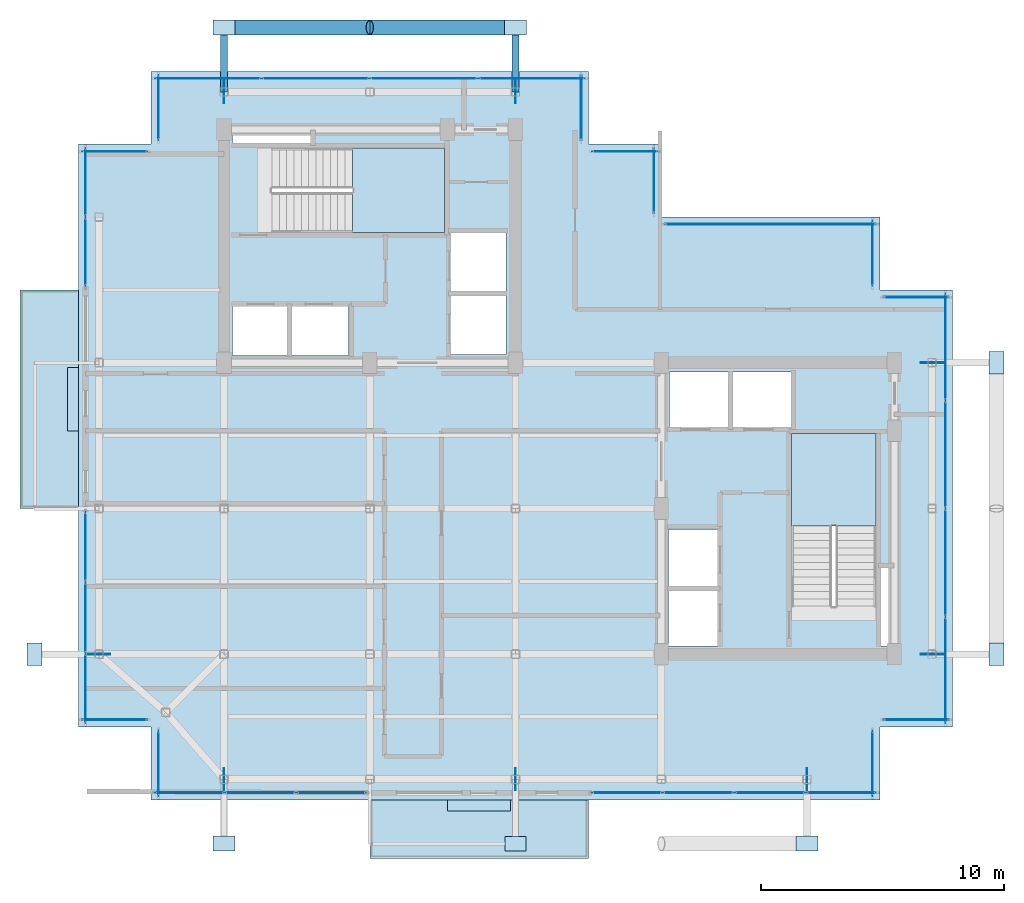
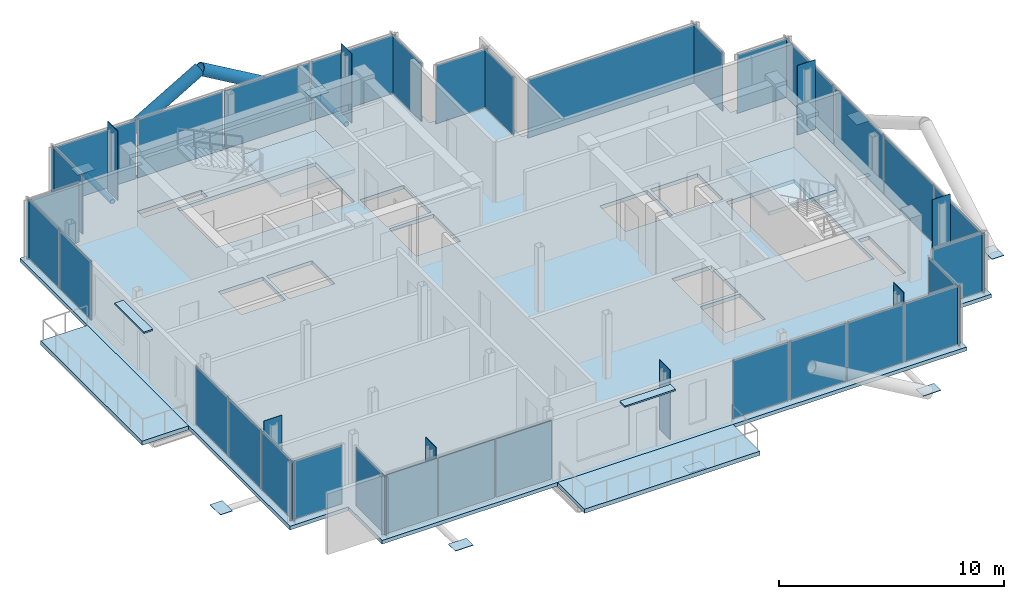
# One storey, part 13 of 18: 50 plates, 5 slabs, 4 members, 20 elements without a shape of their own.
"""IFC4 building model written with IfcOpenShell, lengths in metres."""

from ifc_helpers import new_model, si_unit, direction, frame, origin, origin_2d, place, context, subcontext, project, spatial, polyline, rectangle, hollow_circle, outline, extrude, material, layer, layer_set, material_profile, profile_set, type_object, element, aggregate, save


model = new_model("IFC4")

# Units and contexts
model_context = context("Model", 3, precision=1e-05, world=origin(), true_north=direction((0.0, 1.0)))
body_context = subcontext(model_context, "Body", "Model", "MODEL_VIEW")
ifc_project = project(units=[si_unit("LENGTHUNIT", "METRE"), si_unit("AREAUNIT", "SQUARE_METRE"), si_unit("VOLUMEUNIT", "CUBIC_METRE"), si_unit("PLANEANGLEUNIT", "RADIAN"), si_unit("MASSUNIT", "GRAM", prefix="KILO"), si_unit("THERMODYNAMICTEMPERATUREUNIT", "KELVIN"), si_unit("POWERUNIT", "WATT")], contexts=[model_context])

# Site, building, storey
site_placement = place(None, origin())
site = spatial("IfcSite", under=ifc_project, at=site_placement, CompositionType="ELEMENT")
building_placement = place(site_placement, origin())
building = spatial("IfcBuilding", under=site, at=building_placement, Name="Svarakhadi Broadcast Tower", CompositionType="ELEMENT")
storey_placement = place(building_placement, frame((0.0, 0.0, 278.199951171875)))
storey = spatial("IfcBuildingStorey", under=building, at=storey_placement, Name="L70", CompositionType="ELEMENT", Elevation=278.199951171875)

# Members
ifc_material_1 = material(Name="Steel S460ML (IS 2062 E450BR)", Category="steel")
ifc_material_profile_1 = material_profile(ifc_material_1, hollow_circle(Radius=0.304931640625, WallThickness=0.030029296875, at=origin_2d()), Name="CHS 610x30")
ifc_profile_set_1 = profile_set([ifc_material_profile_1], Name="Steel S460ML (IS 2062 E450BR)")
member_type_1 = type_object("IfcMemberType", Name="Exo_Brace_CHS610", PredefinedType="BRACE", material=ifc_profile_set_1)
for number, where, z_axis, x_axis, name in (
    (1, (6.0, 31.800048828125, -0.33642578125), (0.863778900898, 0.0, 0.503871025524), (0.0, 1.0, 0.0), "L70 Exposed Bronze Exoskeleton Diagonal N04"),
    (2, (18.0, 31.800048828125, -0.33642578125), (-0.863778900898, 0.0, 0.503871025524), (0.0, -1.0, 0.0), "L70 Exposed Bronze Exoskeleton Diagonal N05"),
):
    element("IfcMember", number, at=place(storey_placement, frame(where, z_axis=z_axis, x_axis=x_axis)), inside=storey, type_object=member_type_1, Name=name, PredefinedType="BRACE", context=body_context, shape_type="SweptSolid", body=[
        extrude(hollow_circle(Radius=0.304931640625, WallThickness=0.030029296875, at=origin_2d()), origin(), (0.0, 0.0, 1.0), 6.9462890625),
    ])
ifc_material_profile_2 = material_profile(ifc_material_1, hollow_circle(Radius=0.136474609375, WallThickness=0.012451171875, at=origin_2d()), Name="CHS 273x12.5")
ifc_profile_set_2 = profile_set([ifc_material_profile_2], Name="Steel S460ML (IS 2062 E450BR)")
member_type_2 = type_object("IfcMemberType", Name="Exo_Radial_Strut_Z3", PredefinedType="STRUT", material=ifc_profile_set_2)
for number, where, z_axis, x_axis, name in (
    (3, (6.0, 31.800048828125, -0.33642578125), (0.0, -1.0, 0.0), (1.0, 0.0, 0.0), "L70 Exoskeleton Radial Tie Strut N07"),
    (4, (18.0, 31.800048828125, -0.33642578125), (0.0, -1.0, 0.0), (1.0, 0.0, 0.0), "L70 Exoskeleton Radial Tie Strut N08"),
):
    element("IfcMember", number, at=place(storey_placement, frame(where, z_axis=z_axis, x_axis=x_axis)), inside=storey, type_object=member_type_2, Name=name, PredefinedType="STRUT", context=body_context, shape_type="SweptSolid", body=[
        extrude(hollow_circle(Radius=0.136474609375, WallThickness=0.012451171875, at=origin_2d()), origin(), (0.0, 0.0, 1.0), 2.650146484375),
    ])

# Curtain wall, plate
ifc_material_2 = material(Name="Anodised Bronze Aluminium AA 6063-T6", Category="aluminium")
ifc_layer_1 = layer(ifc_material_2, 0.179931640625)
ifc_layer_set_1 = layer_set([ifc_layer_1], Name="Anodised Bronze Aluminium AA 6063-T6")
curtain_wall_type = type_object("IfcCurtainWallType", Name="CW_Sys_05", PredefinedType="NOTDEFINED", material=ifc_layer_set_1)
curtain_wall_1_placement = place(storey_placement, origin())
curtain_wall_1 = element("IfcCurtainWall", 5, at=curtain_wall_1_placement, inside=storey, type_object=curtain_wall_type, Name="L70 Unitised Facade Curtain Wall 01", PredefinedType="NOTDEFINED")
ifc_material_3 = material(Name="Double Low-E Laminated Acoustic Glass IGU 36 mm", Category="glass")
ifc_layer_2 = layer(ifc_material_3, 0.033935546875)
ifc_layer_set_2 = layer_set([ifc_layer_2], Name="Double Low-E Laminated Acoustic Glass IGU 36 mm")
plate_type_1 = type_object("IfcPlateType", Name="CW_Sys_05_Pnl", PredefinedType="CURTAIN_PANEL", material=ifc_layer_set_2)
plate_1_placement = place(storey_placement, frame((1.5, 3.300048828125, 0.065185546875), z_axis=(0.0, 0.0, 1.0), x_axis=(-1.0, 0.0, 0.0)))
plate_1 = element("IfcPlate", 6, at=plate_1_placement, type_object=plate_type_1, Name="CW-05 panel 1.1", PredefinedType="CURTAIN_PANEL", context=body_context, shape_type="SweptSolid", body=[
    extrude(rectangle(XDim=2.679931640625, YDim=0.033935546875, at=origin_2d()), origin(), (0.0, 0.0, 1.0), 3.169921875),
])
aggregate(curtain_wall_1, [plate_1])

# Curtain wall, plates
curtain_wall_2_placement = place(storey_placement, origin())
curtain_wall_2 = element("IfcCurtainWall", 7, at=curtain_wall_2_placement, inside=storey, type_object=curtain_wall_type, Name="L70 West Curtain Wall 02", PredefinedType="NOTDEFINED")
plate_2_placement = place(storey_placement, frame((0.300048828125, 4.577392578125, 0.065185546875), z_axis=(0.0, 0.0, 1.0), x_axis=(0.0, 1.0, 0.0)))
plate_2 = element("IfcPlate", 8, at=plate_2_placement, type_object=plate_type_1, Name="CW-05 panel 1.1", PredefinedType="CURTAIN_PANEL", context=body_context, shape_type="SweptSolid", body=[
    extrude(rectangle(XDim=2.8349609375, YDim=0.033935546875, at=origin_2d()), origin(), (0.0, 0.0, 1.0), 3.169921875),
])
plate_3_placement = place(storey_placement, frame((0.300048828125, 7.5, 0.065185546875), z_axis=(0.0, 0.0, 1.0), x_axis=(0.0, 1.0, 0.0)))
plate_3 = element("IfcPlate", 9, at=plate_3_placement, type_object=plate_type_1, Name="CW-05 panel 2.1", PredefinedType="CURTAIN_PANEL", context=body_context, shape_type="SweptSolid", body=[
    extrude(rectangle(XDim=2.8701171875, YDim=0.033935546875, at=origin_2d()), origin(), (0.0, 0.0, 1.0), 3.169921875),
])
plate_4_placement = place(storey_placement, frame((0.300048828125, 10.422607421875, 0.065185546875), z_axis=(0.0, 0.0, 1.0), x_axis=(0.0, 1.0, 0.0)))
plate_4 = element("IfcPlate", 10, at=plate_4_placement, type_object=plate_type_1, Name="CW-05 panel 3.1", PredefinedType="CURTAIN_PANEL", context=body_context, shape_type="SweptSolid", body=[
    extrude(rectangle(XDim=2.8349609375, YDim=0.033935546875, at=origin_2d()), origin(), (0.0, 0.0, 1.0), 3.169921875),
])
aggregate(curtain_wall_2, [plate_2, plate_3, plate_4])

curtain_wall_3_placement = place(storey_placement, origin())
curtain_wall_3 = element("IfcCurtainWall", 11, at=curtain_wall_3_placement, inside=storey, type_object=curtain_wall_type, Name="L70 West Curtain Wall 03", PredefinedType="NOTDEFINED")
plate_5_placement = place(storey_placement, frame((0.300048828125, 22.5625, 0.065185546875), z_axis=(0.0, 0.0, 1.0), x_axis=(0.0, 1.0, 0.0)))
plate_5 = element("IfcPlate", 12, at=plate_5_placement, type_object=plate_type_1, Name="CW-05 panel 1.1", PredefinedType="CURTAIN_PANEL", context=body_context, shape_type="SweptSolid", body=[
    extrude(rectangle(XDim=2.804931640625, YDim=0.033935546875, at=origin_2d()), origin(), (0.0, 0.0, 1.0), 3.169921875),
])
plate_6_placement = place(storey_placement, frame((0.300048828125, 25.4375, 0.065185546875), z_axis=(0.0, 0.0, 1.0), x_axis=(0.0, 1.0, 0.0)))
plate_6 = element("IfcPlate", 13, at=plate_6_placement, type_object=plate_type_1, Name="CW-05 panel 2.1", PredefinedType="CURTAIN_PANEL", context=body_context, shape_type="SweptSolid", body=[
    extrude(rectangle(XDim=2.804931640625, YDim=0.033935546875, at=origin_2d()), origin(), (0.0, 0.0, 1.0), 3.169921875),
])
aggregate(curtain_wall_3, [plate_5, plate_6])

# Curtain wall, plate
curtain_wall_4_placement = place(storey_placement, origin())
curtain_wall_4 = element("IfcCurtainWall", 14, at=curtain_wall_4_placement, inside=storey, type_object=curtain_wall_type, Name="L70 Unitised Facade Curtain Wall 04", PredefinedType="NOTDEFINED")
plate_7_placement = place(storey_placement, frame((1.5, 26.699951171875, 0.065185546875), z_axis=(0.0, 0.0, 1.0), x_axis=(1.0, 0.0, 0.0)))
plate_7 = element("IfcPlate", 15, at=plate_7_placement, type_object=plate_type_1, Name="CW-05 panel 1.1", PredefinedType="CURTAIN_PANEL", context=body_context, shape_type="SweptSolid", body=[
    extrude(rectangle(XDim=2.679931640625, YDim=0.033935546875, at=origin_2d()), origin(), (0.0, 0.0, 1.0), 3.169921875),
])
aggregate(curtain_wall_4, [plate_7])

curtain_wall_5_placement = place(storey_placement, origin())
curtain_wall_5 = element("IfcCurtainWall", 16, at=curtain_wall_5_placement, inside=storey, type_object=curtain_wall_type, Name="L70 Unitised Facade Curtain Wall 05", PredefinedType="NOTDEFINED")
plate_8_placement = place(storey_placement, frame((3.300048828125, 28.5, 0.065185546875), z_axis=(0.0, 0.0, 1.0), x_axis=(0.0, 1.0, 0.0)))
plate_8 = element("IfcPlate", 17, at=plate_8_placement, type_object=plate_type_1, Name="CW-05 panel 1.1", PredefinedType="CURTAIN_PANEL", context=body_context, shape_type="SweptSolid", body=[
    extrude(rectangle(XDim=2.679931640625, YDim=0.033935546875, at=origin_2d()), origin(), (0.0, 0.0, 1.0), 3.169921875),
])
aggregate(curtain_wall_5, [plate_8])

# Curtain wall, plates
curtain_wall_6_placement = place(storey_placement, origin())
curtain_wall_6 = element("IfcCurtainWall", 18, at=curtain_wall_6_placement, inside=storey, type_object=curtain_wall_type, Name="L70 Unitised Facade Curtain Wall 06", PredefinedType="NOTDEFINED")
plate_9_placement = place(storey_placement, frame((5.3349609375, 29.699951171875, 0.065185546875), z_axis=(0.0, 0.0, 1.0), x_axis=(1.0, 0.0, 0.0)))
plate_9 = element("IfcPlate", 19, at=plate_9_placement, type_object=plate_type_1, Name="CW-05 panel 1.1", PredefinedType="CURTAIN_PANEL", context=body_context, shape_type="SweptSolid", body=[
    extrude(rectangle(XDim=4.35009765625, YDim=0.033935546875, at=origin_2d()), origin(), (0.0, 0.0, 1.0), 3.169921875),
])
plate_10_placement = place(storey_placement, frame((9.7724609375, 29.699951171875, 0.065185546875), z_axis=(0.0, 0.0, 1.0), x_axis=(1.0, 0.0, 0.0)))
plate_10 = element("IfcPlate", 20, at=plate_10_placement, type_object=plate_type_1, Name="CW-05 panel 2.1", PredefinedType="CURTAIN_PANEL", context=body_context, shape_type="SweptSolid", body=[
    extrude(rectangle(XDim=4.385009765625, YDim=0.033935546875, at=origin_2d()), origin(), (0.0, 0.0, 1.0), 3.169921875),
])
plate_11_placement = place(storey_placement, frame((14.2275390625, 29.699951171875, 0.065185546875), z_axis=(0.0, 0.0, 1.0), x_axis=(1.0, 0.0, 0.0)))
plate_11 = element("IfcPlate", 21, at=plate_11_placement, type_object=plate_type_1, Name="CW-05 panel 3.1", PredefinedType="CURTAIN_PANEL", context=body_context, shape_type="SweptSolid", body=[
    extrude(rectangle(XDim=4.385009765625, YDim=0.033935546875, at=origin_2d()), origin(), (0.0, 0.0, 1.0), 3.169921875),
])
plate_12_placement = place(storey_placement, frame((18.6650390625, 29.699951171875, 0.065185546875), z_axis=(0.0, 0.0, 1.0), x_axis=(1.0, 0.0, 0.0)))
plate_12 = element("IfcPlate", 22, at=plate_12_placement, type_object=plate_type_1, Name="CW-05 panel 4.1", PredefinedType="CURTAIN_PANEL", context=body_context, shape_type="SweptSolid", body=[
    extrude(rectangle(XDim=4.35009765625, YDim=0.033935546875, at=origin_2d()), origin(), (0.0, 0.0, 1.0), 3.169921875),
])
aggregate(curtain_wall_6, [plate_9, plate_10, plate_11, plate_12])

# Curtain wall, plate
curtain_wall_7_placement = place(storey_placement, origin())
curtain_wall_7 = element("IfcCurtainWall", 23, at=curtain_wall_7_placement, inside=storey, type_object=curtain_wall_type, Name="L70 Unitised Facade Curtain Wall 07", PredefinedType="NOTDEFINED")
plate_13_placement = place(storey_placement, frame((20.699951171875, 28.5, 0.065185546875), z_axis=(0.0, 0.0, 1.0), x_axis=(0.0, -1.0, 0.0)))
plate_13 = element("IfcPlate", 24, at=plate_13_placement, type_object=plate_type_1, Name="CW-05 panel 1.1", PredefinedType="CURTAIN_PANEL", context=body_context, shape_type="SweptSolid", body=[
    extrude(rectangle(XDim=2.679931640625, YDim=0.033935546875, at=origin_2d()), origin(), (0.0, 0.0, 1.0), 3.169921875),
])
aggregate(curtain_wall_7, [plate_13])

curtain_wall_8_placement = place(storey_placement, origin())
curtain_wall_8 = element("IfcCurtainWall", 25, at=curtain_wall_8_placement, inside=storey, type_object=curtain_wall_type, Name="L70 Unitised Facade Curtain Wall 08", PredefinedType="NOTDEFINED")
plate_14_placement = place(storey_placement, frame((22.5, 26.699951171875, 0.065185546875), z_axis=(0.0, 0.0, 1.0), x_axis=(1.0, 0.0, 0.0)))
plate_14 = element("IfcPlate", 26, at=plate_14_placement, type_object=plate_type_1, Name="CW-05 panel 1.1", PredefinedType="CURTAIN_PANEL", context=body_context, shape_type="SweptSolid", body=[
    extrude(rectangle(XDim=2.679931640625, YDim=0.033935546875, at=origin_2d()), origin(), (0.0, 0.0, 1.0), 3.169921875),
])
aggregate(curtain_wall_8, [plate_14])

curtain_wall_9_placement = place(storey_placement, origin())
curtain_wall_9 = element("IfcCurtainWall", 27, at=curtain_wall_9_placement, inside=storey, type_object=curtain_wall_type, Name="L70 Unitised Facade Curtain Wall 09", PredefinedType="NOTDEFINED")
plate_15_placement = place(storey_placement, frame((23.699951171875, 25.5, 0.065185546875), z_axis=(0.0, 0.0, 1.0), x_axis=(0.0, -1.0, 0.0)))
plate_15 = element("IfcPlate", 28, at=plate_15_placement, type_object=plate_type_1, Name="CW-05 panel 1.1", PredefinedType="CURTAIN_PANEL", context=body_context, shape_type="SweptSolid", body=[
    extrude(rectangle(XDim=2.679931640625, YDim=0.033935546875, at=origin_2d()), origin(), (0.0, 0.0, 1.0), 3.169921875),
])
aggregate(curtain_wall_9, [plate_15])

curtain_wall_10_placement = place(storey_placement, origin())
curtain_wall_10 = element("IfcCurtainWall", 29, at=curtain_wall_10_placement, inside=storey, type_object=curtain_wall_type, Name="L70 Unitised Facade Curtain Wall 10", PredefinedType="NOTDEFINED")
plate_16_placement = place(storey_placement, frame((28.5, 23.699951171875, 0.065185546875), z_axis=(0.0, 0.0, 1.0), x_axis=(1.0, 0.0, 0.0)))
plate_16 = element("IfcPlate", 30, at=plate_16_placement, type_object=plate_type_1, Name="CW-05 panel 1.1", PredefinedType="CURTAIN_PANEL", context=body_context, shape_type="SweptSolid", body=[
    extrude(rectangle(XDim=8.679931640625, YDim=0.033935546875, at=origin_2d()), origin(), (0.0, 0.0, 1.0), 3.169921875),
])
aggregate(curtain_wall_10, [plate_16])

curtain_wall_11_placement = place(storey_placement, origin())
curtain_wall_11 = element("IfcCurtainWall", 31, at=curtain_wall_11_placement, inside=storey, type_object=curtain_wall_type, Name="L70 Unitised Facade Curtain Wall 11", PredefinedType="NOTDEFINED")
plate_17_placement = place(storey_placement, frame((32.699951171875, 22.5, 0.065185546875), z_axis=(0.0, 0.0, 1.0), x_axis=(0.0, -1.0, 0.0)))
plate_17 = element("IfcPlate", 32, at=plate_17_placement, type_object=plate_type_1, Name="CW-05 panel 1.1", PredefinedType="CURTAIN_PANEL", context=body_context, shape_type="SweptSolid", body=[
    extrude(rectangle(XDim=2.679931640625, YDim=0.033935546875, at=origin_2d()), origin(), (0.0, 0.0, 1.0), 3.169921875),
])
aggregate(curtain_wall_11, [plate_17])

curtain_wall_12_placement = place(storey_placement, origin())
curtain_wall_12 = element("IfcCurtainWall", 33, at=curtain_wall_12_placement, inside=storey, type_object=curtain_wall_type, Name="L70 Unitised Facade Curtain Wall 12", PredefinedType="NOTDEFINED")
plate_18_placement = place(storey_placement, frame((34.5, 20.699951171875, 0.065185546875), z_axis=(0.0, 0.0, 1.0), x_axis=(1.0, 0.0, 0.0)))
plate_18 = element("IfcPlate", 34, at=plate_18_placement, type_object=plate_type_1, Name="CW-05 panel 1.1", PredefinedType="CURTAIN_PANEL", context=body_context, shape_type="SweptSolid", body=[
    extrude(rectangle(XDim=2.679931640625, YDim=0.033935546875, at=origin_2d()), origin(), (0.0, 0.0, 1.0), 3.169921875),
])
aggregate(curtain_wall_12, [plate_18])

# Curtain wall, plates
curtain_wall_13_placement = place(storey_placement, origin())
curtain_wall_13 = element("IfcCurtainWall", 35, at=curtain_wall_13_placement, inside=storey, type_object=curtain_wall_type, Name="L70 Unitised Facade Curtain Wall 13", PredefinedType="NOTDEFINED")
plate_19_placement = place(storey_placement, frame((35.699951171875, 18.6650390625, 0.065185546875), z_axis=(0.0, 0.0, 1.0), x_axis=(0.0, -1.0, 0.0)))
plate_19 = element("IfcPlate", 36, at=plate_19_placement, type_object=plate_type_1, Name="CW-05 panel 1.1", PredefinedType="CURTAIN_PANEL", context=body_context, shape_type="SweptSolid", body=[
    extrude(rectangle(XDim=4.35009765625, YDim=0.033935546875, at=origin_2d()), origin(), (0.0, 0.0, 1.0), 3.169921875),
])
plate_20_placement = place(storey_placement, frame((35.699951171875, 14.2275390625, 0.065185546875), z_axis=(0.0, 0.0, 1.0), x_axis=(0.0, -1.0, 0.0)))
plate_20 = element("IfcPlate", 37, at=plate_20_placement, type_object=plate_type_1, Name="CW-05 panel 2.1", PredefinedType="CURTAIN_PANEL", context=body_context, shape_type="SweptSolid", body=[
    extrude(rectangle(XDim=4.385009765625, YDim=0.033935546875, at=origin_2d()), origin(), (0.0, 0.0, 1.0), 3.169921875),
])
plate_21_placement = place(storey_placement, frame((35.699951171875, 9.7724609375, 0.065185546875), z_axis=(0.0, 0.0, 1.0), x_axis=(0.0, -1.0, 0.0)))
plate_21 = element("IfcPlate", 38, at=plate_21_placement, type_object=plate_type_1, Name="CW-05 panel 3.1", PredefinedType="CURTAIN_PANEL", context=body_context, shape_type="SweptSolid", body=[
    extrude(rectangle(XDim=4.385009765625, YDim=0.033935546875, at=origin_2d()), origin(), (0.0, 0.0, 1.0), 3.169921875),
])
plate_22_placement = place(storey_placement, frame((35.699951171875, 5.3349609375, 0.065185546875), z_axis=(0.0, 0.0, 1.0), x_axis=(0.0, -1.0, 0.0)))
plate_22 = element("IfcPlate", 39, at=plate_22_placement, type_object=plate_type_1, Name="CW-05 panel 4.1", PredefinedType="CURTAIN_PANEL", context=body_context, shape_type="SweptSolid", body=[
    extrude(rectangle(XDim=4.35009765625, YDim=0.033935546875, at=origin_2d()), origin(), (0.0, 0.0, 1.0), 3.169921875),
])
aggregate(curtain_wall_13, [plate_19, plate_20, plate_21, plate_22])

# Curtain wall, plate
curtain_wall_14_placement = place(storey_placement, origin())
curtain_wall_14 = element("IfcCurtainWall", 40, at=curtain_wall_14_placement, inside=storey, type_object=curtain_wall_type, Name="L70 Unitised Facade Curtain Wall 14", PredefinedType="NOTDEFINED")
plate_23_placement = place(storey_placement, frame((34.5, 3.300048828125, 0.065185546875), z_axis=(0.0, 0.0, 1.0), x_axis=(-1.0, 0.0, 0.0)))
plate_23 = element("IfcPlate", 41, at=plate_23_placement, type_object=plate_type_1, Name="CW-05 panel 1.1", PredefinedType="CURTAIN_PANEL", context=body_context, shape_type="SweptSolid", body=[
    extrude(rectangle(XDim=2.679931640625, YDim=0.033935546875, at=origin_2d()), origin(), (0.0, 0.0, 1.0), 3.169921875),
])
aggregate(curtain_wall_14, [plate_23])

curtain_wall_15_placement = place(storey_placement, origin())
curtain_wall_15 = element("IfcCurtainWall", 42, at=curtain_wall_15_placement, inside=storey, type_object=curtain_wall_type, Name="L70 Unitised Facade Curtain Wall 15", PredefinedType="NOTDEFINED")
plate_24_placement = place(storey_placement, frame((32.699951171875, 1.5, 0.065185546875), z_axis=(0.0, 0.0, 1.0), x_axis=(0.0, -1.0, 0.0)))
plate_24 = element("IfcPlate", 43, at=plate_24_placement, type_object=plate_type_1, Name="CW-05 panel 1.1", PredefinedType="CURTAIN_PANEL", context=body_context, shape_type="SweptSolid", body=[
    extrude(rectangle(XDim=2.679931640625, YDim=0.033935546875, at=origin_2d()), origin(), (0.0, 0.0, 1.0), 3.169921875),
])
aggregate(curtain_wall_15, [plate_24])

# Curtain wall, plates
curtain_wall_16_placement = place(storey_placement, origin())
curtain_wall_16 = element("IfcCurtainWall", 44, at=curtain_wall_16_placement, inside=storey, type_object=curtain_wall_type, Name="L70 South Curtain Wall 16", PredefinedType="NOTDEFINED")
plate_25_placement = place(storey_placement, frame((31.4150390625, 0.300048828125, 0.065185546875), z_axis=(0.0, 0.0, 1.0), x_axis=(-1.0, 0.0, 0.0)))
plate_25 = element("IfcPlate", 45, at=plate_25_placement, type_object=plate_type_1, Name="CW-05 panel 1.1", PredefinedType="CURTAIN_PANEL", context=body_context, shape_type="SweptSolid", body=[
    extrude(rectangle(XDim=2.85009765625, YDim=0.033935546875, at=origin_2d()), origin(), (0.0, 0.0, 1.0), 3.169921875),
])
plate_26_placement = place(storey_placement, frame((28.4775390625, 0.300048828125, 0.065185546875), z_axis=(0.0, 0.0, 1.0), x_axis=(-1.0, 0.0, 0.0)))
plate_26 = element("IfcPlate", 46, at=plate_26_placement, type_object=plate_type_1, Name="CW-05 panel 2.1", PredefinedType="CURTAIN_PANEL", context=body_context, shape_type="SweptSolid", body=[
    extrude(rectangle(XDim=2.885009765625, YDim=0.033935546875, at=origin_2d()), origin(), (0.0, 0.0, 1.0), 3.169921875),
])
plate_27_placement = place(storey_placement, frame((25.5224609375, 0.300048828125, 0.065185546875), z_axis=(0.0, 0.0, 1.0), x_axis=(-1.0, 0.0, 0.0)))
plate_27 = element("IfcPlate", 47, at=plate_27_placement, type_object=plate_type_1, Name="CW-05 panel 3.1", PredefinedType="CURTAIN_PANEL", context=body_context, shape_type="SweptSolid", body=[
    extrude(rectangle(XDim=2.885009765625, YDim=0.033935546875, at=origin_2d()), origin(), (0.0, 0.0, 1.0), 3.169921875),
])
plate_28_placement = place(storey_placement, frame((22.5849609375, 0.300048828125, 0.065185546875), z_axis=(0.0, 0.0, 1.0), x_axis=(-1.0, 0.0, 0.0)))
plate_28 = element("IfcPlate", 48, at=plate_28_placement, type_object=plate_type_1, Name="CW-05 panel 4.1", PredefinedType="CURTAIN_PANEL", context=body_context, shape_type="SweptSolid", body=[
    extrude(rectangle(XDim=2.85009765625, YDim=0.033935546875, at=origin_2d()), origin(), (0.0, 0.0, 1.0), 3.169921875),
])
aggregate(curtain_wall_16, [plate_25, plate_26, plate_27, plate_28])

curtain_wall_17_placement = place(storey_placement, origin())
curtain_wall_17 = element("IfcCurtainWall", 49, at=curtain_wall_17_placement, inside=storey, type_object=curtain_wall_type, Name="L70 South Curtain Wall 17", PredefinedType="NOTDEFINED")
plate_29_placement = place(storey_placement, frame((10.422607421875, 0.300048828125, 0.065185546875), z_axis=(0.0, 0.0, 1.0), x_axis=(-1.0, 0.0, 0.0)))
plate_29 = element("IfcPlate", 50, at=plate_29_placement, type_object=plate_type_1, Name="CW-05 panel 1.1", PredefinedType="CURTAIN_PANEL", context=body_context, shape_type="SweptSolid", body=[
    extrude(rectangle(XDim=2.8349609375, YDim=0.033935546875, at=origin_2d()), origin(), (0.0, 0.0, 1.0), 3.169921875),
])
plate_30_placement = place(storey_placement, frame((7.5, 0.300048828125, 0.065185546875), z_axis=(0.0, 0.0, 1.0), x_axis=(-1.0, 0.0, 0.0)))
plate_30 = element("IfcPlate", 51, at=plate_30_placement, type_object=plate_type_1, Name="CW-05 panel 2.1", PredefinedType="CURTAIN_PANEL", context=body_context, shape_type="SweptSolid", body=[
    extrude(rectangle(XDim=2.8701171875, YDim=0.033935546875, at=origin_2d()), origin(), (0.0, 0.0, 1.0), 3.169921875),
])
plate_31_placement = place(storey_placement, frame((4.577392578125, 0.300048828125, 0.065185546875), z_axis=(0.0, 0.0, 1.0), x_axis=(-1.0, 0.0, 0.0)))
plate_31 = element("IfcPlate", 52, at=plate_31_placement, type_object=plate_type_1, Name="CW-05 panel 3.1", PredefinedType="CURTAIN_PANEL", context=body_context, shape_type="SweptSolid", body=[
    extrude(rectangle(XDim=2.8349609375, YDim=0.033935546875, at=origin_2d()), origin(), (0.0, 0.0, 1.0), 3.169921875),
])
aggregate(curtain_wall_17, [plate_29, plate_30, plate_31])

# Curtain wall, plate
curtain_wall_18_placement = place(storey_placement, origin())
curtain_wall_18 = element("IfcCurtainWall", 53, at=curtain_wall_18_placement, inside=storey, type_object=curtain_wall_type, Name="L70 Unitised Facade Curtain Wall 18", PredefinedType="NOTDEFINED")
plate_32_placement = place(storey_placement, frame((3.300048828125, 1.5, 0.065185546875), z_axis=(0.0, 0.0, 1.0), x_axis=(0.0, 1.0, 0.0)))
plate_32 = element("IfcPlate", 54, at=plate_32_placement, type_object=plate_type_1, Name="CW-05 panel 1.1", PredefinedType="CURTAIN_PANEL", context=body_context, shape_type="SweptSolid", body=[
    extrude(rectangle(XDim=2.679931640625, YDim=0.033935546875, at=origin_2d()), origin(), (0.0, 0.0, 1.0), 3.169921875),
])
aggregate(curtain_wall_18, [plate_32])

# Plates
ifc_layer_3 = layer(ifc_material_1, 0.02490234375)
ifc_layer_set_3 = layer_set([ifc_layer_3], Name="Steel S460ML (IS 2062 E450BR)")
plate_type_2 = type_object("IfcPlateType", Name="Node_Gusset_N05", PredefinedType="SHEET", material=ifc_layer_set_3)
plate_33_placement = place(storey_placement, frame((18.0, -1.800048828125, -0.199951171875), z_axis=(0.0, 0.0, 1.0), x_axis=(1.0, 0.0, 0.0)))
element("IfcPlate", 55, at=plate_33_placement, inside=storey, type_object=plate_type_2, Name="L70 Exoskeleton Gusset Node Plate S02", PredefinedType="SHEET", context=body_context, shape_type="SweptSolid", body=[
    extrude(rectangle(XDim=0.8798828125, YDim=0.60009765625, at=origin_2d()), origin(), (0.0, 0.0, 1.0), 0.02490234375),
])
ifc_layer_4 = layer(ifc_material_1, 0.02587890625)
ifc_layer_set_4 = layer_set([ifc_layer_4], Name="Steel S460ML (IS 2062 E450BR)")
plate_type_3 = type_object("IfcPlateType", Name="Node_Gusset_N07", PredefinedType="SHEET", material=ifc_layer_set_4)
for number, where, z_axis, x_axis, name in (
    (56, (6.0, -1.800048828125, -0.199951171875), (0.0, 0.0, 1.0), (1.0, 0.0, 0.0), "L70 Exoskeleton Gusset Node Plate S01"),
    (57, (30.0, -1.800048828125, -0.199951171875), (0.0, 0.0, 1.0), (1.0, 0.0, 0.0), "L70 Exoskeleton Gusset Node Plate S03"),
    (58, (-1.800048828125, 6.0, -0.199951171875), (0.0, 0.0, 1.0), (0.0, 1.0, 0.0), "L70 Exoskeleton Gusset Node Plate W04"),
    (59, (37.800048828125, 6.0, -0.199951171875), (0.0, 0.0, 1.0), (0.0, 1.0, 0.0), "L70 Exoskeleton Gusset Node Plate E05"),
    (60, (37.800048828125, 18.0, -0.199951171875), (0.0, 0.0, 1.0), (0.0, 1.0, 0.0), "L70 Exoskeleton Gusset Node Plate E06"),
    (61, (6.0, 31.800048828125, -0.199951171875), (0.0, 0.0, 1.0), (1.0, 0.0, 0.0), "L70 Exoskeleton Gusset Node Plate N07"),
    (62, (18.0, 31.800048828125, -0.199951171875), (0.0, 0.0, 1.0), (1.0, 0.0, 0.0), "L70 Exoskeleton Gusset Node Plate N08"),
):
    element("IfcPlate", number, at=place(storey_placement, frame(where, z_axis=z_axis, x_axis=x_axis)), inside=storey, type_object=plate_type_3, Name=name, PredefinedType="SHEET", context=body_context, shape_type="SweptSolid", body=[
        extrude(rectangle(XDim=0.919921875, YDim=0.6201171875, at=origin_2d()), origin(), (0.0, 0.0, 1.0), 0.02587890625),
    ])
for number, where, z_axis, x_axis, name in (
    (63, (6.0, 0.85009765625, -0.53662109375), (0.0, 0.0, 1.0), (0.0, 1.0, 0.0), "L70 Brace End Connection Gusset Plate N-07-E0547"),
    (64, (18.0, 0.85009765625, -0.53662109375), (0.0, 0.0, 1.0), (0.0, 1.0, 0.0), "L70 Brace End Connection Gusset Plate N-07-E0548"),
    (65, (30.0, 0.85009765625, -0.53662109375), (0.0, 0.0, 1.0), (0.0, 1.0, 0.0), "L70 Brace End Connection Gusset Plate N-07-E0549"),
    (66, (0.85009765625, 6.0, -0.53662109375), (0.0, 0.0, 1.0), (1.0, 0.0, 0.0), "L70 Brace End Connection Gusset Plate N-07-E0550"),
    (67, (35.14990234375, 6.0, -0.53662109375), (0.0, 0.0, 1.0), (1.0, 0.0, 0.0), "L70 Brace End Connection Gusset Plate N-07-E0551"),
    (68, (35.14990234375, 18.0, -0.53662109375), (0.0, 0.0, 1.0), (1.0, 0.0, 0.0), "L70 Brace End Connection Gusset Plate N-07-E0552"),
    (69, (6.0, 29.14990234375, -0.53662109375), (0.0, 0.0, 1.0), (0.0, 1.0, 0.0), "L70 Brace End Connection Gusset Plate N-07-E0553"),
    (70, (18.0, 29.14990234375, -0.53662109375), (0.0, 0.0, 1.0), (0.0, 1.0, 0.0), "L70 Brace End Connection Gusset Plate N-07-E0554"),
):
    element("IfcPlate", number, at=place(storey_placement, frame(where, z_axis=z_axis, x_axis=x_axis)), inside=storey, type_object=plate_type_3, Name=name, PredefinedType="SHEET", context=body_context, shape_type="SweptSolid", body=[
        extrude(rectangle(XDim=0.919921875, YDim=0.02587890625, at=origin_2d()), origin(), (0.0, 0.0, 1.0), 4.300048828125),
    ])

# Slab
ifc_material_4 = material(Name="Concrete C40/50 (IS 456 M50)", Category="concrete")
ifc_layer_5 = layer(ifc_material_4, 0.199951171875)
ifc_layer_set_5 = layer_set([ifc_layer_5], Name="Concrete C40/50 (IS 456 M50)")
slab_type_1 = type_object("IfcSlabType", Name="Slab_Floor_200", PredefinedType="FLOOR", material=ifc_layer_set_5)
slab_1_placement = place(storey_placement, frame((0.0, 0.0, -0.199951171875)))
element("IfcSlab", 71, at=slab_1_placement, inside=storey, type_object=slab_type_1, Name="L70 Structural Floor Slab", PredefinedType="FLOOR", context=body_context, shape_type="SweptSolid", body=[
    extrude(outline(polyline([(3.0, 0.0), (33.0, 0.0), (33.0, 3.0), (36.0, 3.0), (36.0, 21.0), (33.0, 21.0), (33.0, 24.0), (24.0, 24.0), (24.0, 27.0), (21.0, 27.0), (21.0, 30.0), (3.0, 30.0), (3.0, 27.0), (0.0, 27.0), (0.0, 3.0), (3.0, 3.0), (3.0, 0.0)]), holes=[polyline([(7.97998046875, 23.360107421875), (15.080078125, 23.360107421875), (15.080078125, 26.840087890625), (7.97998046875, 26.840087890625), (7.97998046875, 23.360107421875)]), polyline([(32.840087890625, 7.97998046875), (32.840087890625, 15.080078125), (29.360107421875, 15.080078125), (29.360107421875, 7.97998046875), (32.840087890625, 7.97998046875)]), polyline([(6.340087890625, 18.2900390625), (8.610107421875, 18.2900390625), (8.610107421875, 20.330078125), (6.340087890625, 20.330078125), (6.340087890625, 18.2900390625)]), polyline([(8.7900390625, 18.2900390625), (11.1298828125, 18.2900390625), (11.1298828125, 20.330078125), (8.7900390625, 20.330078125), (8.7900390625, 18.2900390625)]), polyline([(24.2900390625, 6.340087890625), (26.330078125, 6.340087890625), (26.330078125, 8.610107421875), (24.2900390625, 8.610107421875), (24.2900390625, 6.340087890625)]), polyline([(24.2900390625, 8.7900390625), (26.330078125, 8.7900390625), (26.330078125, 11.1298828125), (24.2900390625, 11.1298828125), (24.2900390625, 8.7900390625)]), polyline([(6.340087890625, 26.989990234375), (9.610107421875, 26.989990234375), (9.610107421875, 27.530029296875), (6.340087890625, 27.530029296875), (6.340087890625, 26.989990234375)]), polyline([(32.989990234375, 6.340087890625), (33.530029296875, 6.340087890625), (33.530029296875, 9.610107421875), (32.989990234375, 9.610107421875), (32.989990234375, 6.340087890625)]), polyline([(15.340087890625, 18.340087890625), (17.610107421875, 18.340087890625), (17.610107421875, 20.760009765625), (15.340087890625, 20.760009765625), (15.340087890625, 18.340087890625)]), polyline([(15.340087890625, 20.93994140625), (17.610107421875, 20.93994140625), (17.610107421875, 23.360107421875), (15.340087890625, 23.360107421875), (15.340087890625, 20.93994140625)]), polyline([(24.340087890625, 15.340087890625), (26.760009765625, 15.340087890625), (26.760009765625, 17.610107421875), (24.340087890625, 17.610107421875), (24.340087890625, 15.340087890625)]), polyline([(26.93994140625, 15.340087890625), (29.360107421875, 15.340087890625), (29.360107421875, 17.610107421875), (26.93994140625, 17.610107421875), (26.93994140625, 15.340087890625)])]), origin(), (0.0, 0.0, 1.0), 0.199951171875),
])

# Stair, slab
stair_type = type_object("IfcStairType", Name="Stair_Exit_Core", PredefinedType="HALF_TURN_STAIR", material=ifc_material_4)
stair_1_placement = place(storey_placement, origin())
stair_1 = element("IfcStair", 72, at=stair_1_placement, inside=storey, type_object=stair_type, Name="L70 West Core Protected Exit Stair ST-01", PredefinedType="HALF_TURN_STAIR")
ifc_layer_6 = layer(ifc_material_4, 0.199951171875)
ifc_layer_set_6 = layer_set([ifc_layer_6], Name="Concrete C40/50 (IS 456 M50)")
slab_type_2 = type_object("IfcSlabType", Name="Slab_Stair_Land", PredefinedType="LANDING", material=ifc_layer_set_6)
slab_2_placement = place(storey_placement, frame((0.0, 0.0, 1.550048828125)))
slab_2 = element("IfcSlab", 73, at=slab_2_placement, type_object=slab_type_2, Name="ST-01 landing 1", PredefinedType="LANDING", context=body_context, shape_type="SweptSolid", body=[
    extrude(outline(polyline([(11.280029296875, 23.360107421875), (15.080078125, 23.360107421875), (15.080078125, 26.840087890625), (11.280029296875, 26.840087890625), (11.280029296875, 23.360107421875)])), origin(), (0.0, 0.0, 1.0), 0.199951171875),
])
aggregate(stair_1, [slab_2])

stair_2_placement = place(storey_placement, origin())
stair_2 = element("IfcStair", 74, at=stair_2_placement, inside=storey, type_object=stair_type, Name="L70 East Core Protected Exit Stair ST-02", PredefinedType="HALF_TURN_STAIR")
slab_3_placement = place(storey_placement, frame((0.0, 0.0, 1.550048828125)))
slab_3 = element("IfcSlab", 75, at=slab_3_placement, type_object=slab_type_2, Name="ST-02 landing 1", PredefinedType="LANDING", context=body_context, shape_type="SweptSolid", body=[
    extrude(outline(polyline([(32.840087890625, 11.280029296875), (32.840087890625, 15.080078125), (29.360107421875, 15.080078125), (29.360107421875, 11.280029296875), (32.840087890625, 11.280029296875)])), origin(), (0.0, 0.0, 1.0), 0.199951171875),
])
aggregate(stair_2, [slab_3])

# Slabs
ifc_layer_7 = layer(ifc_material_4, 0.22509765625)
ifc_layer_set_7 = layer_set([ifc_layer_7], Name="Concrete C40/50 (IS 456 M50)")
slab_type_3 = type_object("IfcSlabType", Name="Slab_TreeBalcony", PredefinedType="FLOOR", material=ifc_layer_set_7)
slab_4_placement = place(storey_placement, frame((0.0, 0.0, -0.224853515625)))
element("IfcSlab", 76, at=slab_4_placement, inside=storey, type_object=slab_type_3, Name="L70 Planted Tree Balcony Slab BAL-S", PredefinedType="FLOOR", context=body_context, shape_type="SweptSolid", body=[
    extrude(outline(polyline([(12.0, -2.39990234375), (21.0, -2.39990234375), (21.0, 0.0), (12.0, 0.0), (12.0, -2.39990234375)])), origin(), (0.0, 0.0, 1.0), 0.224853515625),
])
slab_5_placement = place(storey_placement, frame((0.0, 0.0, -0.224853515625)))
element("IfcSlab", 77, at=slab_5_placement, inside=storey, type_object=slab_type_3, Name="L70 Planted Tree Balcony Slab BAL-W", PredefinedType="FLOOR", context=body_context, shape_type="SweptSolid", body=[
    extrude(outline(polyline([(-2.39990234375, 12.0), (0.0, 12.0), (0.0, 21.0), (-2.39990234375, 21.0), (-2.39990234375, 12.0)])), origin(), (0.0, 0.0, 1.0), 0.224853515625),
])

# Plates
ifc_layer_8 = layer(ifc_material_2, 0.080078125)
ifc_layer_set_8 = layer_set([ifc_layer_8], Name="Anodised Bronze Aluminium AA 6063-T6")
plate_type_4 = type_object("IfcPlateType", Name="Sunshade_Fin_SS01", PredefinedType="USERDEFINED", material=ifc_layer_set_8)
for number, where, z_axis, x_axis, name in (
    (78, (16.5, -0.22509765625, 3.219970703125), (0.0, 0.0, 1.0), (1.0, 0.0, 0.0), "L70 South Bronze Brise-Soleil Sunshade SS-01"),
    (79, (-0.22509765625, 16.5, 3.219970703125), (0.0, 0.0, 1.0), (0.0, 1.0, 0.0), "L70 West Bronze Brise-Soleil Sunshade SS-01"),
):
    element("IfcPlate", number, at=place(storey_placement, frame(where, z_axis=z_axis, x_axis=x_axis)), inside=storey, type_object=plate_type_4, Name=name, ObjectType="SUNSHADE", PredefinedType="USERDEFINED", context=body_context, shape_type="SweptSolid", body=[
        extrude(rectangle(XDim=2.60009765625, YDim=0.449951171875, at=origin_2d()), origin(), (0.0, 0.0, 1.0), 0.080078125),
    ])

save(model, "model.ifc")
